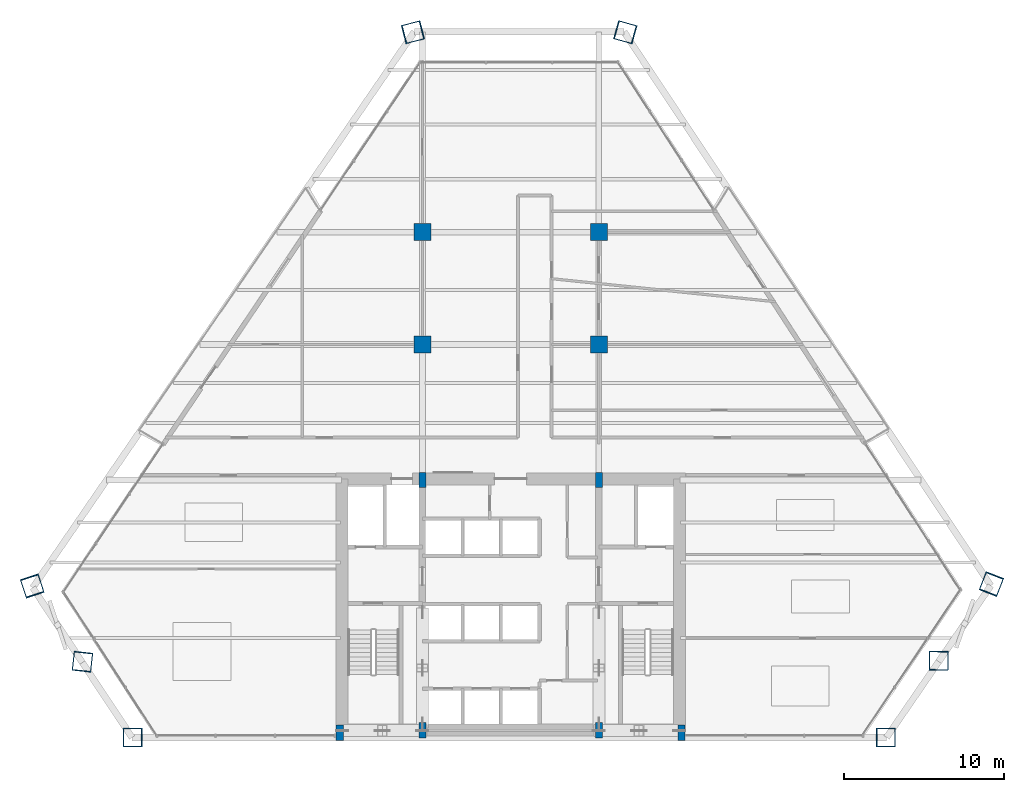
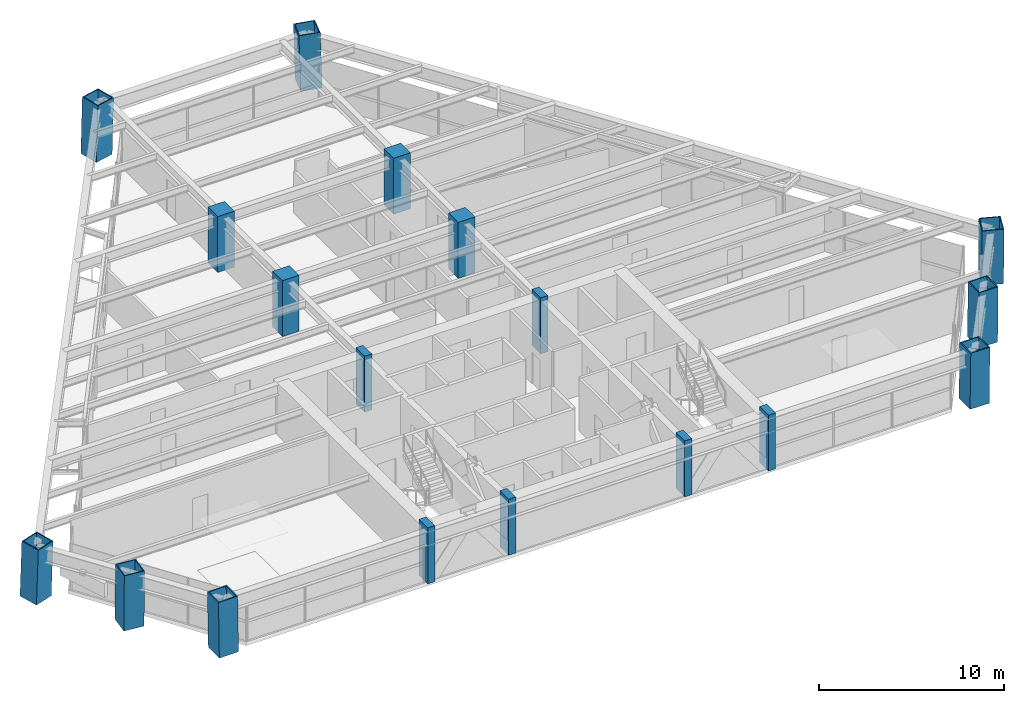
# One storey, part 1 of 14: 18 columns.
"""IFC4 building model written with IfcOpenShell, lengths in metres."""

from ifc_helpers import new_model, si_unit, direction, frame, origin, origin_2d, place, context, subcontext, project, spatial, rectangle, hollow_rectangle, extrude, source, transform, mapped, material, material_profile, profile_set, type_object, type_shapes, element, save


model = new_model("IFC4")

# Units and contexts
model_context = context("Model", 3, precision=1e-05, world=origin(), true_north=direction((0.0, 1.0)))
body_context = subcontext(model_context, "Body", "Model", "MODEL_VIEW")
ifc_project = project(units=[si_unit("LENGTHUNIT", "METRE"), si_unit("AREAUNIT", "SQUARE_METRE"), si_unit("VOLUMEUNIT", "CUBIC_METRE"), si_unit("PLANEANGLEUNIT", "RADIAN"), si_unit("MASSUNIT", "GRAM", prefix="KILO")], contexts=[model_context])

# Site, building, storey
site_placement = place(None, origin())
site = spatial("IfcSite", under=ifc_project, at=site_placement, CompositionType="ELEMENT")
building_placement = place(site_placement, origin())
building = spatial("IfcBuilding", under=site, at=building_placement, Name="Varnakhor Terracotta Tower", CompositionType="ELEMENT")
storey_placement = place(building_placement, frame((0.0, 0.0, 91.39990234375)))
storey = spatial("IfcBuildingStorey", under=building, at=storey_placement, Name="L22", CompositionType="ELEMENT", Elevation=91.39990234375)

# Columns
ifc_material_1 = material(Name="Concrete C50/60", Category="concrete")
ifc_material_profile_1 = material_profile(ifc_material_1, rectangle(XDim=0.449951171875, YDim=0.949951171875, at=origin_2d()), Name="RC PILASTER 950x450")
ifc_profile_set_1 = profile_set([ifc_material_profile_1], Name="Concrete C50/60")
column_type_1 = type_object("IfcColumnType", Name="COL-PIL-950x450", PredefinedType="PILASTER", material=ifc_profile_set_1)
shared_shape_1 = source(origin(), body_context, "Body", "SweptSolid", [
    extrude(rectangle(XDim=0.449951171875, YDim=0.949951171875, at=origin_2d()), origin(), (0.0, 0.0, 1.0), 3.7001953125),
])
for number, where, z_axis, x_axis, name in (
    (1, (-10.64990234375, 0.300048828125, 0.0), (0.0, 0.0, 1.0), (1.0, 0.0, 0.0), "L22 Core Pilaster CP1"),
    (2, (-5.5, 0.449951171875, 0.0), (0.0, 0.0, 1.0), (1.0, 0.0, 0.0), "L22 Core Pilaster CP2"),
    (3, (5.5, 0.449951171875, 0.0), (0.0, 0.0, 1.0), (1.0, 0.0, 0.0), "L22 Core Pilaster CP3"),
    (4, (10.64990234375, 0.300048828125, 0.0), (0.0, 0.0, 1.0), (1.0, 0.0, 0.0), "L22 Core Pilaster CP4"),
    (5, (-5.5, 16.050048828125, 0.0), (0.0, 0.0, 1.0), (1.0, 0.0, 0.0), "L22 Core Pilaster CP5"),
    (6, (5.5, 16.050048828125, 0.0), (0.0, 0.0, 1.0), (1.0, 0.0, 0.0), "L22 Core Pilaster CP6"),
):
    element("IfcColumn", number, at=place(storey_placement, frame(where, z_axis=z_axis, x_axis=x_axis)), inside=storey, type_object=column_type_1, Name=name, PredefinedType="PILASTER", context=body_context, shape_type="MappedRepresentation", body=[
        mapped(shared_shape_1, transform((0.0, 0.0, 0.0), scale=1.0)),
    ])
ifc_material_2 = material(Name="Concrete C60/75", Category="concrete")
ifc_material_profile_2 = material_profile(ifc_material_2, rectangle(XDim=1.050048828125, YDim=1.050048828125, at=origin_2d()), Name="RC 1050x1050")
ifc_profile_set_2 = profile_set([ifc_material_profile_2], Name="Concrete C60/75")
column_type_2 = type_object("IfcColumnType", Name="COL-RC-1050", PredefinedType="COLUMN", material=ifc_profile_set_2)
shared_shape_2 = source(origin(), body_context, "Body", "SweptSolid", [
    extrude(rectangle(XDim=1.050048828125, YDim=1.050048828125, at=origin_2d()), origin(), (0.0, 0.0, 1.0), 3.7001953125),
])
for number, where, z_axis, x_axis, name in (
    (7, (-5.5, 24.5, 0.0), (0.0, 0.0, 1.0), (1.0, 0.0, 0.0), "L22 Interior Tower Column IC1"),
    (8, (5.5, 24.5, 0.0), (0.0, 0.0, 1.0), (1.0, 0.0, 0.0), "L22 Interior Tower Column IC2"),
    (9, (-5.5, 31.5, 0.0), (0.0, 0.0, 1.0), (1.0, 0.0, 0.0), "L22 Interior Tower Column IC3"),
    (10, (5.5, 31.5, 0.0), (0.0, 0.0, 1.0), (1.0, 0.0, 0.0), "L22 Interior Tower Column IC4"),
):
    element("IfcColumn", number, at=place(storey_placement, frame(where, z_axis=z_axis, x_axis=x_axis)), inside=storey, type_object=column_type_2, Name=name, PredefinedType="COLUMN", context=body_context, shape_type="MappedRepresentation", body=[
        mapped(shared_shape_2, transform((0.0, 0.0, 0.0), scale=1.0)),
    ])
ifc_material_3 = material(Name="Steel S460", Category="steel")
ifc_material_profile_3 = material_profile(ifc_material_3, hollow_rectangle(XDim=1.199951171875, YDim=1.199951171875, WallThickness=0.06005859375, at=origin_2d()), Name="BOX 1200x1200x60")
ifc_profile_set_3 = profile_set([ifc_material_profile_3], Name="Steel S460")
column_type_3 = type_object("IfcColumnType", Name="COL-MEGA-1200", PredefinedType="COLUMN", material=ifc_profile_set_3)
shared_shape_3 = source(origin(), body_context, "Body", "SweptSolid", [
    extrude(hollow_rectangle(XDim=1.199951171875, YDim=1.199951171875, WallThickness=0.06005859375, at=origin_2d()), origin(), (0.0, 0.0, 1.0), 3.691650390625),
])
type_shapes(column_type_3, [shared_shape_3])
column_1_placement = place(storey_placement, frame((23.3916015625, 0.0, 0.00439453125), z_axis=(0.012366779089, 0.0, 0.999923528464), x_axis=(0.0, 1.0, 0.0)))
element("IfcColumn", 11, at=column_1_placement, inside=storey, type_object=column_type_3, Name="L22 Perimeter Mega-Column M2", PredefinedType="COLUMN", context=body_context, shape_type="MappedRepresentation", body=[
    mapped(shared_shape_3, transform((0.0, 0.0, 0.0), scale=1.0)),
])
shared_shape_4 = source(origin(), body_context, "Body", "SweptSolid", [
    extrude(hollow_rectangle(XDim=1.199951171875, YDim=1.199951171875, WallThickness=0.06005859375, at=origin_2d()), origin(), (0.0, 0.0, 1.0), 3.693603515625),
])
column_2_placement = place(storey_placement, frame((29.9794921875, 9.580078125, 0.00439453125), z_axis=(-0.012492625735, -0.031991697649, 0.999410058777), x_axis=(0.931498110057, -0.363746162812, 0.0)))
element("IfcColumn", 12, at=column_2_placement, inside=storey, type_object=column_type_3, Name="L22 Perimeter Mega-Column M4", PredefinedType="COLUMN", context=body_context, shape_type="MappedRepresentation", body=[
    mapped(shared_shape_4, transform((0.0, 0.0, 0.0), scale=1.0)),
])
shared_shape_5 = source(origin(), body_context, "Body", "SweptSolid", [
    extrude(hollow_rectangle(XDim=1.199951171875, YDim=1.199951171875, WallThickness=0.06005859375, at=origin_2d()), origin(), (0.0, 0.0, 1.0), 3.693115234375),
])
column_3_placement = place(storey_placement, frame((-6.10791015625, 43.959228515625, 0.00439453125), z_axis=(0.029087389112, 0.007536278088, 0.99954846221), x_axis=(-0.250809450678, 0.968036476302, 0.0)))
element("IfcColumn", 13, at=column_3_placement, inside=storey, type_object=column_type_3, Name="L22 Perimeter Mega-Column M6", PredefinedType="COLUMN", context=body_context, shape_type="MappedRepresentation", body=[
    mapped(shared_shape_5, transform((0.0, 0.0, 0.0), scale=1.0)),
])
shared_shape_6 = source(origin(), body_context, "Body", "SweptSolid", [
    extrude(hollow_rectangle(XDim=1.199951171875, YDim=1.199951171875, WallThickness=0.06005859375, at=origin_2d()), origin(), (0.0, 0.0, 1.0), 3.69287109375),
])
column_4_placement = place(storey_placement, frame((7.1650390625, 43.959228515625, 0.00439453125), z_axis=(-0.026907478383, 0.007536738417, 0.999609516352), x_axis=(-0.269717681989, -0.962939443591, 0.0)))
element("IfcColumn", 14, at=column_4_placement, inside=storey, type_object=column_type_3, Name="L22 Perimeter Mega-Column M5", PredefinedType="COLUMN", context=body_context, shape_type="MappedRepresentation", body=[
    mapped(shared_shape_6, transform((0.0, 0.0, 0.0), scale=1.0)),
])
shared_shape_7 = source(origin(), body_context, "Body", "SweptSolid", [
    extrude(hollow_rectangle(XDim=1.199951171875, YDim=1.199951171875, WallThickness=0.06005859375, at=origin_2d()), origin(), (0.0, 0.0, 1.0), 3.69189453125),
])
for number, where, z_axis, x_axis, name in (
    (15, (-23.551513671875, 0.0, 0.00439453125), (-0.01468095733, 0.0, 0.999892228939), (0.0, -1.0, 0.0), "L22 Perimeter Mega-Column M1"),
    (16, (26.685791015625, 4.7900390625, 0.00439453125), (-0.000132258192, -0.016003241227, 0.999871931188), (0.999965851077, -0.008264180587, 0.0), "L22 Perimeter Mega-Column M3"),
    (17, (-26.69091796875, 4.73095703125, 0.00439453125), (-0.001851583303, -0.016928761631, 0.99985498382), (0.994071691754, -0.108726591286, 0.0), "L22 Perimeter Mega-Column M8"),
):
    element("IfcColumn", number, at=place(storey_placement, frame(where, z_axis=z_axis, x_axis=x_axis)), inside=storey, type_object=column_type_3, Name=name, PredefinedType="COLUMN", context=body_context, shape_type="MappedRepresentation", body=[
        mapped(shared_shape_7, transform((0.0, 0.0, 0.0), scale=1.0)),
    ])
shared_shape_8 = source(origin(), body_context, "Body", "SweptSolid", [
    extrude(hollow_rectangle(XDim=1.199951171875, YDim=1.199951171875, WallThickness=0.06005859375, at=origin_2d()), origin(), (0.0, 0.0, 1.0), 3.69384765625),
])
column_5_placement = place(storey_placement, frame((-29.83056640625, 9.4619140625, 0.00439453125), z_axis=(0.011037974069, -0.033840974391, 0.999366274987), x_axis=(0.95070604111, 0.310093572003, 0.0)))
element("IfcColumn", 18, at=column_5_placement, inside=storey, type_object=column_type_3, Name="L22 Perimeter Mega-Column M7", PredefinedType="COLUMN", context=body_context, shape_type="MappedRepresentation", body=[
    mapped(shared_shape_8, transform((0.0, 0.0, 0.0), scale=1.0)),
])

save(model, "model.ifc")
